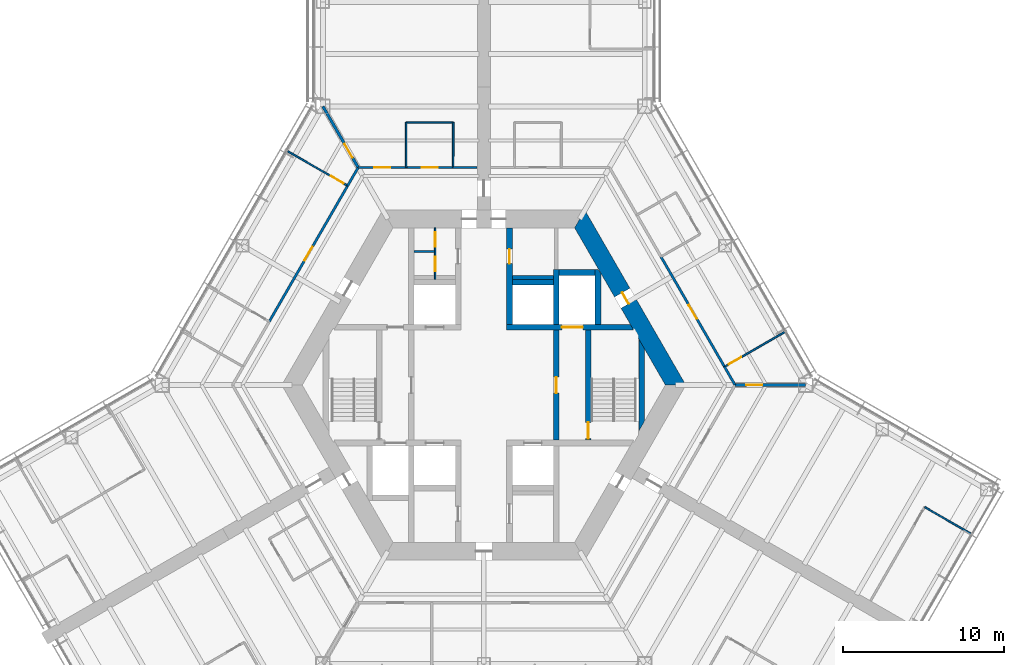
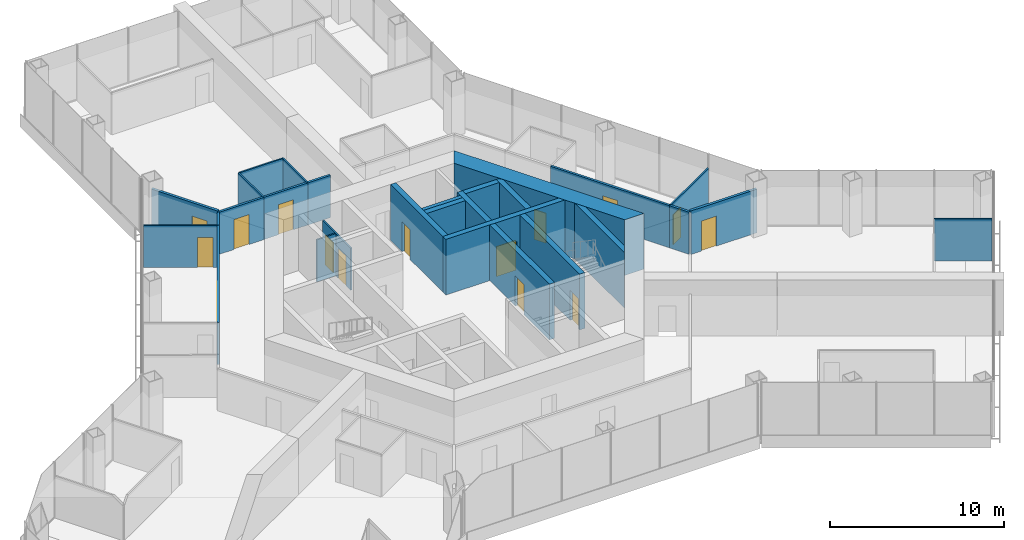
# One storey, part 14 of 18: 28 walls, 15 doors, 15 openings.
"""IFC4 building model written with IfcOpenShell, lengths in metres."""

from ifc_helpers import new_model, si_unit, direction, frame, frame_2d, origin, place, context, subcontext, project, spatial, polyline, rectangle, outline, extrude, material, layer, layer_set, type_object, element, fill, save


model = new_model("IFC4")

# Units and contexts
model_context = context("Model", 3, precision=1e-05, world=origin(), true_north=direction((0.0, 1.0)))
body_context = subcontext(model_context, "Body", "Model", "MODEL_VIEW")
ifc_project = project(units=[si_unit("LENGTHUNIT", "METRE"), si_unit("AREAUNIT", "SQUARE_METRE"), si_unit("VOLUMEUNIT", "CUBIC_METRE"), si_unit("PLANEANGLEUNIT", "RADIAN"), si_unit("MASSUNIT", "GRAM", prefix="KILO")], contexts=[model_context])

# Site, building, storey
site_placement = place(None, origin())
site = spatial("IfcSite", under=ifc_project, at=site_placement, CompositionType="ELEMENT")
building_placement = place(site_placement, origin())
building = spatial("IfcBuilding", under=site, at=building_placement, Name="Kasaneha Research Tower", CompositionType="ELEMENT")
storey_placement = place(building_placement, frame((0.0, 0.0, 76.800048828125)))
storey = spatial("IfcBuildingStorey", under=building, at=storey_placement, Name="L19", CompositionType="ELEMENT", Elevation=76.800048828125)

# Wall, opening, door
ifc_material_1 = material(Name="Concrete Fc80", Category="concrete")
ifc_layer_1 = layer(ifc_material_1, 0.35009765625)
ifc_layer_set_1 = layer_set([ifc_layer_1], Name="Core internal wall 350 Fc80")
wall_type_1 = type_object("IfcWallType", Name="Core internal wall 350 Fc80", PredefinedType="SHEAR", material=ifc_layer_set_1)
wall_1_placement = place(storey_placement, frame((1.425048828125, 3.60009765625, 0.0), z_axis=(0.0, 0.0, 1.0), x_axis=(1.0, 0.0, 0.0)))
wall_1 = element("IfcWall", 1, at=wall_1_placement, inside=storey, type_object=wall_type_1, Name="Core wall W1E L19", PredefinedType="SHEAR", context=body_context, shape_type="SweptSolid", body=[
    extrude(outline(polyline([(0.0, -0.175048828125), (3.425048828125, -0.175048828125), (4.72509765625, -0.175048828125), (7.884765625, -0.175048828125), (7.6826171875, 0.175048828125), (4.72509765625, 0.175048828125), (3.425048828125, 0.175048828125), (0.0, 0.175048828125), (0.0, -0.175048828125)])), origin(), (0.0, 0.0, 1.0), 3.89990234375),
])
opening_1_placement = place(wall_1_placement, frame((3.425048828125, 0.0, 0.0)))
opening_1 = element("IfcOpeningElement", 2, at=opening_1_placement, cuts=wall_1, Name="Opening LD-FL1-L19", PredefinedType="OPENING", context=body_context, shape_type="SweptSolid", body=[
    extrude(rectangle(XDim=1.300048828125, YDim=2.10009765625, at=frame_2d((0.64990234375, 1.050048828125))), frame((0.0, 0.18505859375, 0.0), z_axis=(0.0, -1.0, 0.0), x_axis=(1.0, 0.0, 0.0)), (0.0, 0.0, 1.0), 0.3701171875),
])
ifc_material_2 = material(Name="Steel", Category="steel")
door_type_1 = type_object("IfcDoorType", Name="Lift landing door 1300x2100", OperationType="DOUBLE_DOOR_SLIDING", PredefinedType="DOOR", material=ifc_material_2)
door_1_placement = place(opening_1_placement, origin())
door_1 = element("IfcDoor", 3, at=door_1_placement, inside=storey, type_object=door_type_1, Name="Landing door FL1 LD-FL1-L19", OperationType="DOUBLE_DOOR_SLIDING", OverallHeight=2.10009765625, OverallWidth=1.300048828125, PredefinedType="DOOR", context=body_context, shape_type="SweptSolid", body=[
    extrude(rectangle(XDim=1.300048828125, YDim=2.10009765625, at=frame_2d((0.64990234375, 1.050048828125))), frame((0.0, 0.02490234375, 0.0), z_axis=(0.0, -1.0, 0.0), x_axis=(1.0, 0.0, 0.0)), (0.0, 0.0, 1.0), 0.050048828125),
])
fill(opening_1, door_1)

wall_2_placement = place(storey_placement, frame((1.60009765625, 3.77490234375, 0.0), z_axis=(0.0, 0.0, 1.0), x_axis=(0.0, 1.0, 0.0)))
wall_2 = element("IfcWall", 4, at=wall_2_placement, inside=storey, type_object=wall_type_1, Name="Core wall CNE L19", PredefinedType="SHEAR", context=body_context, shape_type="SweptSolid", body=[
    extrude(rectangle(XDim=6.0, YDim=0.35009765625, at=frame_2d((3.0, 0.0))), origin(), (0.0, 0.0, 1.0), 3.89990234375),
])
opening_2_placement = place(wall_2_placement, frame((3.77490234375, 0.0, 0.0)))
opening_2 = element("IfcOpeningElement", 5, at=opening_2_placement, cuts=wall_2, Name="Opening L19-D14", PredefinedType="OPENING", context=body_context, shape_type="SweptSolid", body=[
    extrude(rectangle(XDim=0.89990234375, YDim=2.10009765625, at=frame_2d((0.449951171875, 1.050048828125))), frame((0.0, 0.18505859375, 0.0), z_axis=(0.0, -1.0, 0.0), x_axis=(1.0, 0.0, 0.0)), (0.0, 0.0, 1.0), 0.3701171875),
])
ifc_material_3 = material(Name="Steel", Category="steel")
door_type_2 = type_object("IfcDoorType", Name="Toilet door FD20 900x2100", OperationType="NOTDEFINED", PredefinedType="DOOR", material=ifc_material_3)
door_2_placement = place(opening_2_placement, origin())
door_2 = element("IfcDoor", 6, at=door_2_placement, inside=storey, type_object=door_type_2, Name="Women's WC door L19-D14", OperationType="SINGLE_SWING_LEFT", OverallHeight=2.10009765625, OverallWidth=0.89990234375, PredefinedType="DOOR", context=body_context, shape_type="SweptSolid", body=[
    extrude(rectangle(XDim=0.89990234375, YDim=2.10009765625, at=frame_2d((0.449951171875, 1.050048828125))), frame((0.0, 0.02490234375, 0.0), z_axis=(0.0, -1.0, 0.0), x_axis=(1.0, 0.0, 0.0)), (0.0, 0.0, 1.0), 0.050048828125),
])
fill(opening_2, door_2)

wall_3_placement = place(storey_placement, frame((4.5, -3.425048828125, 0.0), z_axis=(0.0, 0.0, 1.0), x_axis=(0.0, 1.0, 0.0)))
wall_3 = element("IfcWall", 7, at=wall_3_placement, inside=storey, type_object=wall_type_1, Name="Core wall LBE L19", PredefinedType="SHEAR", context=body_context, shape_type="SweptSolid", body=[
    extrude(rectangle(XDim=6.85009765625, YDim=0.35009765625, at=frame_2d((3.425048828125, 0.0))), origin(), (0.0, 0.0, 1.0), 3.89990234375),
])
opening_3_placement = place(wall_3_placement, frame((2.925048828125, 0.0, 0.0)))
opening_3 = element("IfcOpeningElement", 8, at=opening_3_placement, cuts=wall_3, Name="Opening L19-D08", PredefinedType="OPENING", context=body_context, shape_type="SweptSolid", body=[
    extrude(rectangle(XDim=1.0, YDim=2.10009765625, at=frame_2d((0.5, 1.050048828125))), frame((0.0, 0.18505859375, 0.0), z_axis=(0.0, -1.0, 0.0), x_axis=(1.0, 0.0, 0.0)), (0.0, 0.0, 1.0), 0.3701171875),
])
ifc_material_4 = material(Name="Steel", Category="steel")
door_type_3 = type_object("IfcDoorType", Name="Specified fire door FD60 1000x2100", OperationType="NOTDEFINED", PredefinedType="DOOR", material=ifc_material_4)
door_3_placement = place(opening_3_placement, origin())
door_3 = element("IfcDoor", 9, at=door_3_placement, inside=storey, type_object=door_type_3, Name="Lift lobby door east L19-D08", OperationType="SINGLE_SWING_LEFT", OverallHeight=2.10009765625, OverallWidth=1.0, PredefinedType="DOOR", context=body_context, shape_type="SweptSolid", body=[
    extrude(rectangle(XDim=1.0, YDim=2.10009765625, at=frame_2d((0.5, 1.050048828125))), frame((0.0, 0.02490234375, 0.0), z_axis=(0.0, -1.0, 0.0), x_axis=(1.0, 0.0, 0.0)), (0.0, 0.0, 1.0), 0.050048828125),
])
fill(opening_3, door_3)

wall_4_placement = place(storey_placement, frame((6.5, -3.425048828125, 0.0), z_axis=(0.0, 0.0, 1.0), x_axis=(0.0, 1.0, 0.0)))
wall_4 = element("IfcWall", 10, at=wall_4_placement, inside=storey, type_object=wall_type_1, Name="Core wall ANE L19", PredefinedType="SHEAR", context=body_context, shape_type="SweptSolid", body=[
    extrude(rectangle(XDim=6.85009765625, YDim=0.35009765625, at=frame_2d((3.425048828125, 0.0))), origin(), (0.0, 0.0, 1.0), 3.89990234375),
])
opening_4_placement = place(wall_4_placement, frame((0.10009765625, 0.0, 0.0)))
opening_4 = element("IfcOpeningElement", 11, at=opening_4_placement, cuts=wall_4, Name="Opening L19-D10", PredefinedType="OPENING", context=body_context, shape_type="SweptSolid", body=[
    extrude(rectangle(XDim=1.0, YDim=2.10009765625, at=frame_2d((0.5, 1.050048828125))), frame((0.0, 0.18505859375, 0.0), z_axis=(0.0, -1.0, 0.0), x_axis=(1.0, 0.0, 0.0)), (0.0, 0.0, 1.0), 0.3701171875),
])
door_4_placement = place(opening_4_placement, origin())
door_4 = element("IfcDoor", 12, at=door_4_placement, inside=storey, type_object=door_type_3, Name="Stair 1 door L19-D10", OperationType="SINGLE_SWING_LEFT", OverallHeight=2.10009765625, OverallWidth=1.0, PredefinedType="DOOR", context=body_context, shape_type="SweptSolid", body=[
    extrude(rectangle(XDim=1.0, YDim=2.10009765625, at=frame_2d((0.5, 1.050048828125))), frame((0.0, 0.02490234375, 0.0), z_axis=(0.0, -1.0, 0.0), x_axis=(1.0, 0.0, 0.0)), (0.0, 0.0, 1.0), 0.050048828125),
])
fill(opening_4, door_4)

# Walls
wall_5_placement = place(storey_placement, frame((4.5, 3.77490234375, 0.0), z_axis=(0.0, 0.0, 1.0), x_axis=(0.0, 1.0, 0.0)))
element("IfcWall", 13, at=wall_5_placement, inside=storey, type_object=wall_type_1, Name="Core wall FNE L19", PredefinedType="SHEAR", context=body_context, shape_type="SweptSolid", body=[
    extrude(rectangle(XDim=3.400146484375, YDim=0.35009765625, at=frame_2d((1.7001953125, 0.0))), origin(), (0.0, 0.0, 1.0), 3.89990234375),
])
wall_6_placement = place(storey_placement, frame((1.77490234375, 6.39990234375, 0.0), z_axis=(0.0, 0.0, 1.0), x_axis=(1.0, 0.0, 0.0)))
element("IfcWall", 14, at=wall_6_placement, inside=storey, type_object=wall_type_1, Name="Core wall N3N L19", PredefinedType="SHEAR", context=body_context, shape_type="SweptSolid", body=[
    extrude(rectangle(XDim=2.550048828125, YDim=0.35009765625, at=frame_2d((1.27490234375, 0.0))), origin(), (0.0, 0.0, 1.0), 3.89990234375),
])
wall_7_placement = place(storey_placement, frame((4.675048828125, 7.0, 0.0), z_axis=(0.0, 0.0, 1.0), x_axis=(1.0, 0.0, 0.0)))
element("IfcWall", 15, at=wall_7_placement, inside=storey, type_object=wall_type_1, Name="Core wall F1N L19", PredefinedType="SHEAR", context=body_context, shape_type="SweptSolid", body=[
    extrude(rectangle(XDim=2.25, YDim=0.35009765625, at=frame_2d((1.125, 0.0))), origin(), (0.0, 0.0, 1.0), 3.89990234375),
])
wall_8_placement = place(storey_placement, frame((7.10009765625, 3.77490234375, 0.0), z_axis=(0.0, 0.0, 1.0), x_axis=(0.0, 1.0, 0.0)))
element("IfcWall", 16, at=wall_8_placement, inside=storey, type_object=wall_type_1, Name="Core wall F1E L19", PredefinedType="SHEAR", context=body_context, shape_type="SweptSolid", body=[
    extrude(outline(polyline([(0.0, -0.175048828125), (3.174560546875, -0.175048828125), (3.400146484375, 0.0), (3.400146484375, 0.175048828125), (0.0, 0.175048828125), (0.0, -0.175048828125)])), origin(), (0.0, 0.0, 1.0), 3.89990234375),
])
wall_9_placement = place(storey_placement, frame((9.807861328125, -2.562255859375, 0.0), z_axis=(0.0, 0.0, 1.0), x_axis=(0.0, 1.0, 0.0)))
element("IfcWall", 17, at=wall_9_placement, inside=storey, type_object=wall_type_1, Name="Core wall STE L19", PredefinedType="SHEAR", context=body_context, shape_type="SweptSolid", body=[
    extrude(outline(polyline([(0.30322265625, -0.175048828125), (4.8212890625, -0.175048828125), (5.427734375, 0.175048828125), (-0.30322265625, 0.175048828125), (0.30322265625, -0.175048828125)])), origin(), (0.0, 0.0, 1.0), 3.89990234375),
])

# Wall, opening, door
ifc_material_5 = material(Name="Concrete Fc80", Category="concrete")
ifc_layer_2 = layer(ifc_material_5, 1.10009765625)
ifc_layer_set_2 = layer_set([ifc_layer_2], Name="Core wall 1100 Fc80")
wall_type_2 = type_object("IfcWallType", Name="Core wall 1100 Fc80", PredefinedType="SHEAR", material=ifc_layer_set_2)
wall_10_placement = place(storey_placement, frame((11.92236328125, 0.0, 0.0), z_axis=(0.0, 0.0, 1.0), x_axis=(-0.500004296715, 0.866022923061, 0.0)))
wall_10 = element("IfcWall", 18, at=wall_10_placement, inside=storey, type_object=wall_type_2, Name="Core wall 030 L19", PredefinedType="SHEAR", context=body_context, shape_type="SweptSolid", body=[
    extrude(outline(polyline([(-0.317626953125, -0.550048828125), (5.83544921875, -0.550048828125), (6.635498046875, -0.550048828125), (12.239990234375, -0.550048828125), (11.604736328125, 0.550048828125), (6.635498046875, 0.550048828125), (5.83544921875, 0.550048828125), (0.317626953125, 0.550048828125), (-0.317626953125, -0.550048828125)])), origin(), (0.0, 0.0, 1.0), 3.89990234375),
])
opening_5_placement = place(wall_10_placement, frame((5.83544921875, 0.0, 0.0)))
opening_5 = element("IfcOpeningElement", 19, at=opening_5_placement, cuts=wall_10, Name="Opening L19-D04", PredefinedType="OPENING", context=body_context, shape_type="SweptSolid", body=[
    extrude(rectangle(XDim=0.800048828125, YDim=2.10009765625, at=frame_2d((0.39990234375, 1.050048828125))), frame((0.0, 0.56005859375, 0.0), z_axis=(0.0, -1.0, 0.0), x_axis=(1.0, 0.0, 0.0)), (0.0, 0.0, 1.0), 1.1201171875),
])
ifc_material_6 = material(Name="Steel", Category="steel")
door_type_4 = type_object("IfcDoorType", Name="Riser access door FD60 800x2100", OperationType="NOTDEFINED", PredefinedType="DOOR", material=ifc_material_6)
door_5_placement = place(opening_5_placement, origin())
door_5 = element("IfcDoor", 20, at=door_5_placement, inside=storey, type_object=door_type_4, Name="Pipe riser door L19-D04", OperationType="SINGLE_SWING_RIGHT", OverallHeight=2.10009765625, OverallWidth=0.800048828125, PredefinedType="DOOR", context=body_context, shape_type="SweptSolid", body=[
    extrude(rectangle(XDim=0.800048828125, YDim=2.10009765625, at=frame_2d((0.39990234375, 1.050048828125))), frame((0.0, 0.02490234375, 0.0), z_axis=(0.0, -1.0, 0.0), x_axis=(1.0, 0.0, 0.0)), (0.0, 0.0, 1.0), 0.050048828125),
])
fill(opening_5, door_5)

# Wall, openings, doors
ifc_material_7 = material(Name="Gypsum board on steel studs, one layer each side", Category="steel")
ifc_layer_3 = layer(ifc_material_7, 0.10009765625)
ifc_layer_set_3 = layer_set([ifc_layer_3], Name="Office partition 100")
wall_type_3 = type_object("IfcWallType", Name="Office partition 100", PredefinedType="PARTITIONING", material=ifc_layer_set_3)
wall_11_placement = place(storey_placement, frame((-3.02490234375, 6.574951171875, 0.0), z_axis=(0.0, 0.0, 1.0), x_axis=(0.0, 1.0, 0.0)))
wall_11 = element("IfcWall", 21, at=wall_11_placement, inside=storey, type_object=wall_type_3, Name="Office partition TBM1 L19", PredefinedType="PARTITIONING", context=body_context, shape_type="SweptSolid", body=[
    extrude(rectangle(XDim=3.199951171875, YDim=0.10009765625, at=frame_2d((1.60009765625, 0.0))), origin(), (0.0, 0.0, 1.0), 2.949951171875),
])
opening_6_placement = place(wall_11_placement, frame((0.512451171875, 0.0, 0.0)))
opening_6 = element("IfcOpeningElement", 22, at=opening_6_placement, cuts=wall_11, Name="Opening L19-D20", PredefinedType="OPENING", context=body_context, shape_type="SweptSolid", body=[
    extrude(rectangle(XDim=0.89990234375, YDim=2.10009765625, at=frame_2d((0.449951171875, 1.050048828125))), frame((0.0, 0.06005859375, 0.0), z_axis=(0.0, -1.0, 0.0), x_axis=(1.0, 0.0, 0.0)), (0.0, 0.0, 1.0), 0.1201171875),
])
opening_7_placement = place(wall_11_placement, frame((2.03759765625, 0.0, 0.0)))
opening_7 = element("IfcOpeningElement", 23, at=opening_7_placement, cuts=wall_11, Name="Opening L19-D21", PredefinedType="OPENING", context=body_context, shape_type="SweptSolid", body=[
    extrude(rectangle(XDim=0.89990234375, YDim=2.10009765625, at=frame_2d((0.449951171875, 1.050048828125))), frame((0.0, 0.06005859375, 0.0), z_axis=(0.0, -1.0, 0.0), x_axis=(1.0, 0.0, 0.0)), (0.0, 0.0, 1.0), 0.1201171875),
])
ifc_material_8 = material(Name="Steel", Category="steel")
door_type_5 = type_object("IfcDoorType", Name="Toilet lobby door FD30 900x2100", OperationType="NOTDEFINED", PredefinedType="DOOR", material=ifc_material_8)
door_6_placement = place(opening_6_placement, origin())
door_6 = element("IfcDoor", 24, at=door_6_placement, inside=storey, type_object=door_type_5, Name="Men's WC door L19-D20", OperationType="SINGLE_SWING_RIGHT", OverallHeight=2.10009765625, OverallWidth=0.89990234375, PredefinedType="DOOR", context=body_context, shape_type="SweptSolid", body=[
    extrude(rectangle(XDim=0.89990234375, YDim=2.10009765625, at=frame_2d((0.449951171875, 1.050048828125))), frame((0.0, 0.02490234375, 0.0), z_axis=(0.0, -1.0, 0.0), x_axis=(1.0, 0.0, 0.0)), (0.0, 0.0, 1.0), 0.050048828125),
])
fill(opening_6, door_6)
door_7_placement = place(opening_7_placement, origin())
door_7 = element("IfcDoor", 25, at=door_7_placement, inside=storey, type_object=door_type_5, Name="Cleaner's store door L19-D21", OperationType="SINGLE_SWING_RIGHT", OverallHeight=2.10009765625, OverallWidth=0.89990234375, PredefinedType="DOOR", context=body_context, shape_type="SweptSolid", body=[
    extrude(rectangle(XDim=0.89990234375, YDim=2.10009765625, at=frame_2d((0.449951171875, 1.050048828125))), frame((0.0, 0.02490234375, 0.0), z_axis=(0.0, -1.0, 0.0), x_axis=(1.0, 0.0, 0.0)), (0.0, 0.0, 1.0), 0.050048828125),
])
fill(opening_7, door_7)

# Wall
wall_12_placement = place(storey_placement, frame((-3.074951171875, 8.300048828125, 0.0), z_axis=(0.0, 0.0, 1.0), x_axis=(-1.0, 0.0, 0.0)))
element("IfcWall", 26, at=wall_12_placement, inside=storey, type_object=wall_type_3, Name="Office partition TBM2 L19", PredefinedType="PARTITIONING", context=body_context, shape_type="SweptSolid", body=[
    extrude(rectangle(XDim=1.25, YDim=0.10009765625, at=frame_2d((0.625, 0.0))), origin(), (0.0, 0.0, 1.0), 2.949951171875),
])

# Wall, opening, door
wall_13_placement = place(storey_placement, frame((14.961669921875, 1.1357421875, 0.0), z_axis=(0.0, 0.0, 1.0), x_axis=(0.865503653685, 0.500902610751, 0.0)))
wall_13 = element("IfcWall", 27, at=wall_13_placement, inside=storey, type_object=wall_type_3, Name="Office partition FAE21 L19", PredefinedType="PARTITIONING", context=body_context, shape_type="SweptSolid", body=[
    extrude(rectangle(XDim=4.3203125, YDim=0.10009765625, at=frame_2d((2.16015625, 0.0))), origin(), (0.0, 0.0, 1.0), 2.949951171875),
])
opening_8_placement = place(wall_13_placement, frame((0.300048828125, 0.0, 0.0)))
opening_8 = element("IfcOpeningElement", 28, at=opening_8_placement, cuts=wall_13, Name="Opening L19-D31", PredefinedType="OPENING", context=body_context, shape_type="SweptSolid", body=[
    extrude(rectangle(XDim=0.89990234375, YDim=2.10009765625, at=frame_2d((0.449951171875, 1.050048828125))), frame((0.0, 0.06005859375, 0.0), z_axis=(0.0, -1.0, 0.0), x_axis=(1.0, 0.0, 0.0)), (0.0, 0.0, 1.0), 0.1201171875),
])
ifc_material_9 = material(Name="Timber veneer", Category="wood")
door_type_6 = type_object("IfcDoorType", Name="Office door 900x2100", OperationType="SINGLE_SWING_LEFT", PredefinedType="DOOR", material=ifc_material_9)
door_8_placement = place(opening_8_placement, origin())
door_8 = element("IfcDoor", 29, at=door_8_placement, inside=storey, type_object=door_type_6, Name="Phone room door L19-D31", OperationType="SINGLE_SWING_LEFT", OverallHeight=2.10009765625, OverallWidth=0.89990234375, PredefinedType="DOOR", context=body_context, shape_type="SweptSolid", body=[
    extrude(rectangle(XDim=0.89990234375, YDim=2.10009765625, at=frame_2d((0.449951171875, 1.050048828125))), frame((0.0, 0.02490234375, 0.0), z_axis=(0.0, -1.0, 0.0), x_axis=(1.0, 0.0, 0.0)), (0.0, 0.0, 1.0), 0.050048828125),
])
fill(opening_8, door_8)

# Walls
wall_14_placement = place(storey_placement, frame((-4.8291015625, 16.324951171875, 0.0), z_axis=(0.0, 0.0, 1.0), x_axis=(1.0, 0.0, 0.0)))
element("IfcWall", 30, at=wall_14_placement, inside=storey, type_object=wall_type_3, Name="Office partition FAW04 L19", PredefinedType="PARTITIONING", context=body_context, shape_type="SweptSolid", body=[
    extrude(rectangle(XDim=2.92919921875, YDim=0.10009765625, at=frame_2d((1.464599609375, 0.0))), origin(), (0.0, 0.0, 1.0), 2.949951171875),
])
for number, where, z_axis, x_axis, name in (
    (31, (-4.824462890625, 13.52490234375, 0.0), (0.0, 0.0, 1.0), (-0.001656637364, 0.999998627775, 0.0), "Office partition FAW05 L19"),
    (32, (-1.89990234375, 16.324951171875, 0.0), (0.0, 0.0, 1.0), (-0.001656637364, -0.999998627775, 0.0), "Office partition FAW06 L19"),
):
    element("IfcWall", number, at=place(storey_placement, frame(where, z_axis=z_axis, x_axis=x_axis)), inside=storey, type_object=wall_type_3, Name=name, PredefinedType="PARTITIONING", context=body_context, shape_type="SweptSolid", body=[
        extrude(rectangle(XDim=2.800048828125, YDim=0.10009765625, at=frame_2d((1.39990234375, 0.0))), origin(), (0.0, 0.0, 1.0), 2.949951171875),
    ])

# Wall, opening, door
wall_15_placement = place(storey_placement, frame((-8.46435546875, 12.389404296875, 0.0), z_axis=(0.0, 0.0, 1.0), x_axis=(-0.866548715099, 0.499092500806, 0.0)))
wall_15 = element("IfcWall", 33, at=wall_15_placement, inside=storey, type_object=wall_type_3, Name="Office partition FBN11 L19", PredefinedType="PARTITIONING", context=body_context, shape_type="SweptSolid", body=[
    extrude(rectangle(XDim=4.29541015625, YDim=0.10009765625, at=frame_2d((2.147705078125, 0.0))), origin(), (0.0, 0.0, 1.0), 2.949951171875),
])
opening_9_placement = place(wall_15_placement, frame((0.300048828125, 0.0, 0.0)))
opening_9 = element("IfcOpeningElement", 34, at=opening_9_placement, cuts=wall_15, Name="Opening L19-D39", PredefinedType="OPENING", context=body_context, shape_type="SweptSolid", body=[
    extrude(rectangle(XDim=0.89990234375, YDim=2.10009765625, at=frame_2d((0.449951171875, 1.050048828125))), frame((0.0, 0.06005859375, 0.0), z_axis=(0.0, -1.0, 0.0), x_axis=(1.0, 0.0, 0.0)), (0.0, 0.0, 1.0), 0.1201171875),
])
door_9_placement = place(opening_9_placement, origin())
door_9 = element("IfcDoor", 35, at=door_9_placement, inside=storey, type_object=door_type_6, Name="Workroom door L19-D39", OperationType="SINGLE_SWING_LEFT", OverallHeight=2.10009765625, OverallWidth=0.89990234375, PredefinedType="DOOR", context=body_context, shape_type="SweptSolid", body=[
    extrude(rectangle(XDim=0.89990234375, YDim=2.10009765625, at=frame_2d((0.449951171875, 1.050048828125))), frame((0.0, 0.02490234375, 0.0), z_axis=(0.0, -1.0, 0.0), x_axis=(1.0, 0.0, 0.0)), (0.0, 0.0, 1.0), 0.050048828125),
])
fill(opening_9, door_9)

# Walls
wall_16_placement = place(storey_placement, frame((27.400146484375, -7.58251953125, 0.0), z_axis=(0.0, 0.0, 1.0), x_axis=(0.866008176907, -0.50002983664, 0.0)))
element("IfcWall", 36, at=wall_16_placement, inside=storey, type_object=wall_type_3, Name="Office partition FCE03 L19", PredefinedType="PARTITIONING", context=body_context, shape_type="SweptSolid", body=[
    extrude(rectangle(XDim=3.300048828125, YDim=0.10009765625, at=frame_2d((1.64990234375, 0.0))), origin(), (0.0, 0.0, 1.0), 2.949951171875),
])
ifc_material_10 = material(Name="Gypsum board on steel studs, two layers each side", Category="steel")
ifc_layer_4 = layer(ifc_material_10, 0.14990234375)
ifc_layer_set_4 = layer_set([ifc_layer_4], Name="Suite partition 150")
wall_type_4 = type_object("IfcWallType", Name="Suite partition 150", PredefinedType="PARTITIONING", material=ifc_layer_set_4)
wall_17_placement = place(storey_placement, frame((14.956787109375, 1.143798828125, 0.0), z_axis=(0.0, 0.0, 1.0), x_axis=(0.500064441305, -0.865988195383, 0.0)))
element("IfcWall", 37, at=wall_17_placement, inside=storey, type_object=wall_type_4, Name="Suite partition FAE03 L19", PredefinedType="PARTITIONING", context=body_context, shape_type="SweptSolid", body=[
    extrude(rectangle(XDim=1.297607421875, YDim=0.14990234375, at=frame_2d((0.64892578125, 0.0))), origin(), (0.0, 0.0, 1.0), 2.949951171875),
])

# Wall, opening, door
wall_18_placement = place(storey_placement, frame((11.0107421875, 7.978759765625, 0.0), z_axis=(0.0, 0.0, 1.0), x_axis=(0.500010411682, -0.866019392513, 0.0)))
wall_18 = element("IfcWall", 38, at=wall_18_placement, inside=storey, type_object=wall_type_4, Name="Suite partition FAE07 L19", PredefinedType="PARTITIONING", context=body_context, shape_type="SweptSolid", body=[
    extrude(rectangle(XDim=7.901611328125, YDim=0.14990234375, at=frame_2d((3.95068359375, 0.0))), origin(), (0.0, 0.0, 1.0), 2.949951171875),
])
opening_10_placement = place(wall_18_placement, frame((3.450927734375, 0.0, 0.0)))
opening_10 = element("IfcOpeningElement", 39, at=opening_10_placement, cuts=wall_18, Name="Opening L19-D26", PredefinedType="OPENING", context=body_context, shape_type="SweptSolid", body=[
    extrude(rectangle(XDim=1.0, YDim=2.10009765625, at=frame_2d((0.5, 1.050048828125))), frame((0.0, 0.0849609375, 0.0), z_axis=(0.0, -1.0, 0.0), x_axis=(1.0, 0.0, 0.0)), (0.0, 0.0, 1.0), 0.169921875),
])
ifc_material_11 = material(Name="Steel", Category="steel")
door_type_7 = type_object("IfcDoorType", Name="Suite entrance door FD60 1000x2100", OperationType="NOTDEFINED", PredefinedType="DOOR", material=ifc_material_11)
door_10_placement = place(opening_10_placement, origin())
door_10 = element("IfcDoor", 40, at=door_10_placement, inside=storey, type_object=door_type_7, Name="Suite entrance door L19-D26", OperationType="SINGLE_SWING_RIGHT", OverallHeight=2.10009765625, OverallWidth=1.0, PredefinedType="DOOR", context=body_context, shape_type="SweptSolid", body=[
    extrude(rectangle(XDim=1.0, YDim=2.10009765625, at=frame_2d((0.5, 1.050048828125))), frame((0.0, 0.02490234375, 0.0), z_axis=(0.0, -1.0, 0.0), x_axis=(1.0, 0.0, 0.0)), (0.0, 0.0, 1.0), 0.050048828125),
])
fill(opening_10, door_10)

wall_19_placement = place(storey_placement, frame((-4.833984375, 13.52490234375, 0.0), z_axis=(0.0, 0.0, 1.0), x_axis=(1.0, 0.0, 0.0)))
wall_19 = element("IfcWall", 41, at=wall_19_placement, inside=storey, type_object=wall_type_4, Name="Suite partition FAW01 L19", PredefinedType="PARTITIONING", context=body_context, shape_type="SweptSolid", body=[
    extrude(rectangle(XDim=2.93896484375, YDim=0.14990234375, at=frame_2d((1.469482421875, 0.0))), origin(), (0.0, 0.0, 1.0), 2.949951171875),
])
opening_11_placement = place(wall_19_placement, frame((0.969482421875, 0.0, 0.0)))
opening_11 = element("IfcOpeningElement", 42, at=opening_11_placement, cuts=wall_19, Name="Opening L19-D32", PredefinedType="OPENING", context=body_context, shape_type="SweptSolid", body=[
    extrude(rectangle(XDim=1.0, YDim=2.10009765625, at=frame_2d((0.5, 1.050048828125))), frame((0.0, 0.0849609375, 0.0), z_axis=(0.0, -1.0, 0.0), x_axis=(1.0, 0.0, 0.0)), (0.0, 0.0, 1.0), 0.169921875),
])
door_11_placement = place(opening_11_placement, origin())
door_11 = element("IfcDoor", 43, at=door_11_placement, inside=storey, type_object=door_type_7, Name="Suite entrance door L19-D32", OperationType="SINGLE_SWING_RIGHT", OverallHeight=2.10009765625, OverallWidth=1.0, PredefinedType="DOOR", context=body_context, shape_type="SweptSolid", body=[
    extrude(rectangle(XDim=1.0, YDim=2.10009765625, at=frame_2d((0.5, 1.050048828125))), frame((0.0, 0.02490234375, 0.0), z_axis=(0.0, -1.0, 0.0), x_axis=(1.0, 0.0, 0.0)), (0.0, 0.0, 1.0), 0.050048828125),
])
fill(opening_11, door_11)

wall_20_placement = place(storey_placement, frame((-7.78564453125, 13.52490234375, 0.0), z_axis=(0.0, 0.0, 1.0), x_axis=(1.0, 0.0, 0.0)))
wall_20 = element("IfcWall", 44, at=wall_20_placement, inside=storey, type_object=wall_type_4, Name="Suite partition FAW02 L19", PredefinedType="PARTITIONING", context=body_context, shape_type="SweptSolid", body=[
    extrude(rectangle(XDim=2.961181640625, YDim=0.14990234375, at=frame_2d((1.48046875, 0.0))), origin(), (0.0, 0.0, 1.0), 2.949951171875),
])
opening_12_placement = place(wall_20_placement, frame((0.980712890625, 0.0, 0.0)))
opening_12 = element("IfcOpeningElement", 45, at=opening_12_placement, cuts=wall_20, Name="Opening L19-D33", PredefinedType="OPENING", context=body_context, shape_type="SweptSolid", body=[
    extrude(rectangle(XDim=1.0, YDim=2.10009765625, at=frame_2d((0.5, 1.050048828125))), frame((0.0, 0.0849609375, 0.0), z_axis=(0.0, -1.0, 0.0), x_axis=(1.0, 0.0, 0.0)), (0.0, 0.0, 1.0), 0.169921875),
])
door_12_placement = place(opening_12_placement, origin())
door_12 = element("IfcDoor", 46, at=door_12_placement, inside=storey, type_object=door_type_7, Name="Suite entrance door L19-D33", OperationType="SINGLE_SWING_RIGHT", OverallHeight=2.10009765625, OverallWidth=1.0, PredefinedType="DOOR", context=body_context, shape_type="SweptSolid", body=[
    extrude(rectangle(XDim=1.0, YDim=2.10009765625, at=frame_2d((0.5, 1.050048828125))), frame((0.0, 0.02490234375, 0.0), z_axis=(0.0, -1.0, 0.0), x_axis=(1.0, 0.0, 0.0)), (0.0, 0.0, 1.0), 0.050048828125),
])
fill(opening_12, door_12)

# Walls
wall_21_placement = place(storey_placement, frame((-1.904541015625, 13.52490234375, 0.0), z_axis=(0.0, 0.0, 1.0), x_axis=(1.0, 0.0, 0.0)))
element("IfcWall", 47, at=wall_21_placement, inside=storey, type_object=wall_type_4, Name="Suite partition FAW03 L19", PredefinedType="PARTITIONING", context=body_context, shape_type="SweptSolid", body=[
    extrude(rectangle(XDim=1.484619140625, YDim=0.14990234375, at=frame_2d((0.7421875, 0.0))), origin(), (0.0, 0.0, 1.0), 2.949951171875),
])
wall_22_placement = place(storey_placement, frame((-8.468994140625, 12.381103515625, 0.0), z_axis=(0.0, 0.0, 1.0), x_axis=(0.499923331814, 0.866069663658, 0.0)))
element("IfcWall", 48, at=wall_22_placement, inside=storey, type_object=wall_type_4, Name="Suite partition FBN02 L19", PredefinedType="PARTITIONING", context=body_context, shape_type="SweptSolid", body=[
    extrude(rectangle(XDim=1.297607421875, YDim=0.14990234375, at=frame_2d((0.64892578125, 0.0))), origin(), (0.0, 0.0, 1.0), 2.949951171875),
])

# Wall, opening, door
wall_23_placement = place(storey_placement, frame((-13.33837890625, 3.947265625, 0.0), z_axis=(0.0, 0.0, 1.0), x_axis=(0.499996337962, 0.866027518053, 0.0)))
wall_23 = element("IfcWall", 49, at=wall_23_placement, inside=storey, type_object=wall_type_4, Name="Suite partition FBN05 L19", PredefinedType="PARTITIONING", context=body_context, shape_type="SweptSolid", body=[
    extrude(rectangle(XDim=9.748046875, YDim=0.14990234375, at=frame_2d((4.8740234375, 0.0))), origin(), (0.0, 0.0, 1.0), 2.949951171875),
])
opening_13_placement = place(wall_23_placement, frame((4.3740234375, 0.0, 0.0)))
opening_13 = element("IfcOpeningElement", 50, at=opening_13_placement, cuts=wall_23, Name="Opening L19-D36", PredefinedType="OPENING", context=body_context, shape_type="SweptSolid", body=[
    extrude(rectangle(XDim=1.0, YDim=2.10009765625, at=frame_2d((0.5, 1.050048828125))), frame((0.0, 0.0849609375, 0.0), z_axis=(0.0, -1.0, 0.0), x_axis=(1.0, 0.0, 0.0)), (0.0, 0.0, 1.0), 0.169921875),
])
door_13_placement = place(opening_13_placement, origin())
door_13 = element("IfcDoor", 51, at=door_13_placement, inside=storey, type_object=door_type_7, Name="Suite entrance door L19-D36", OperationType="SINGLE_SWING_RIGHT", OverallHeight=2.10009765625, OverallWidth=1.0, PredefinedType="DOOR", context=body_context, shape_type="SweptSolid", body=[
    extrude(rectangle(XDim=1.0, YDim=2.10009765625, at=frame_2d((0.5, 1.050048828125))), frame((0.0, 0.02490234375, 0.0), z_axis=(0.0, -1.0, 0.0), x_axis=(1.0, 0.0, 0.0)), (0.0, 0.0, 1.0), 0.050048828125),
])
fill(opening_13, door_13)

ifc_material_12 = material(Name="Gypsum board on steel studs, two layers each side", Category="steel")
ifc_layer_5 = layer(ifc_material_12, 0.175048828125)
ifc_layer_set_5 = layer_set([ifc_layer_5], Name="Tenancy fire partition 175")
wall_type_5 = type_object("IfcWallType", Name="Tenancy fire partition 175", PredefinedType="PARTITIONING", material=ifc_layer_set_5)
wall_24_placement = place(storey_placement, frame((15.617431640625, 0.0, 0.0), z_axis=(0.0, 0.0, 1.0), x_axis=(1.0, 0.0, 0.0)))
wall_24 = element("IfcWall", 52, at=wall_24_placement, inside=storey, type_object=wall_type_5, Name="Tenancy fire partition T000 L19", PredefinedType="PARTITIONING", context=body_context, shape_type="SweptSolid", body=[
    extrude(rectangle(XDim=4.382568359375, YDim=0.175048828125, at=frame_2d((2.19140625, 0.0))), origin(), (0.0, 0.0, 1.0), 3.050048828125),
])
opening_14_placement = place(wall_24_placement, frame((0.699951171875, 0.0, 0.0)))
opening_14 = element("IfcOpeningElement", 53, at=opening_14_placement, cuts=wall_24, Name="Opening L19-D22", PredefinedType="OPENING", context=body_context, shape_type="SweptSolid", body=[
    extrude(rectangle(XDim=1.0, YDim=2.10009765625, at=frame_2d((0.5, 1.050048828125))), frame((0.0, 0.09765625, 0.0), z_axis=(0.0, -1.0, 0.0), x_axis=(1.0, 0.0, 0.0)), (0.0, 0.0, 1.0), 0.195068359375),
])
door_14_placement = place(opening_14_placement, origin())
door_14 = element("IfcDoor", 54, at=door_14_placement, inside=storey, type_object=door_type_7, Name="Connecting door L19-D22", OperationType="SINGLE_SWING_LEFT", OverallHeight=2.10009765625, OverallWidth=1.0, PredefinedType="DOOR", context=body_context, shape_type="SweptSolid", body=[
    extrude(rectangle(XDim=1.0, YDim=2.10009765625, at=frame_2d((0.5, 1.050048828125))), frame((0.0, 0.02490234375, 0.0), z_axis=(0.0, -1.0, 0.0), x_axis=(1.0, 0.0, 0.0)), (0.0, 0.0, 1.0), 0.050048828125),
])
fill(opening_14, door_14)

wall_25_placement = place(storey_placement, frame((-7.80859375, 13.52490234375, 0.0), z_axis=(0.0, 0.0, 1.0), x_axis=(-0.499997299682, 0.866026962808, 0.0)))
wall_25 = element("IfcWall", 55, at=wall_25_placement, inside=storey, type_object=wall_type_5, Name="Tenancy fire partition T120 L19", PredefinedType="PARTITIONING", context=body_context, shape_type="SweptSolid", body=[
    extrude(rectangle(XDim=4.3828125, YDim=0.175048828125, at=frame_2d((2.19140625, 0.0))), origin(), (0.0, 0.0, 1.0), 3.050048828125),
])
opening_15_placement = place(wall_25_placement, frame((0.699951171875, 0.0, 0.0)))
opening_15 = element("IfcOpeningElement", 56, at=opening_15_placement, cuts=wall_25, Name="Opening L19-D23", PredefinedType="OPENING", context=body_context, shape_type="SweptSolid", body=[
    extrude(rectangle(XDim=1.0, YDim=2.10009765625, at=frame_2d((0.5, 1.050048828125))), frame((0.0, 0.09765625, 0.0), z_axis=(0.0, -1.0, 0.0), x_axis=(1.0, 0.0, 0.0)), (0.0, 0.0, 1.0), 0.195068359375),
])
door_15_placement = place(opening_15_placement, origin())
door_15 = element("IfcDoor", 57, at=door_15_placement, inside=storey, type_object=door_type_7, Name="Connecting door L19-D23", OperationType="SINGLE_SWING_LEFT", OverallHeight=2.10009765625, OverallWidth=1.0, PredefinedType="DOOR", context=body_context, shape_type="SweptSolid", body=[
    extrude(rectangle(XDim=1.0, YDim=2.10009765625, at=frame_2d((0.5, 1.050048828125))), frame((0.0, 0.02490234375, 0.0), z_axis=(0.0, -1.0, 0.0), x_axis=(1.0, 0.0, 0.0)), (0.0, 0.0, 1.0), 0.050048828125),
])
fill(opening_15, door_15)

# Wall
ifc_material_13 = material(Name="Concrete block lining", Category="concrete")
ifc_layer_6 = layer(ifc_material_13, 0.25)
ifc_layer_set_6 = layer_set([ifc_layer_6], Name="WC plumbing wall 250")
wall_type_6 = type_object("IfcWallType", Name="WC plumbing wall 250", PredefinedType="PLUMBINGWALL", material=ifc_layer_set_6)
wall_26_placement = place(storey_placement, frame((1.77490234375, 6.699951171875, 0.0), z_axis=(0.0, 0.0, 1.0), x_axis=(1.0, 0.0, 0.0)))
element("IfcWall", 58, at=wall_26_placement, inside=storey, type_object=wall_type_6, Name="WC plumbing wall F L19", PredefinedType="PLUMBINGWALL", context=body_context, shape_type="SweptSolid", body=[
    extrude(rectangle(XDim=2.550048828125, YDim=0.25, at=frame_2d((1.27490234375, 0.0))), origin(), (0.0, 0.0, 1.0), 3.89990234375),
])

save(model, "model.ifc")
